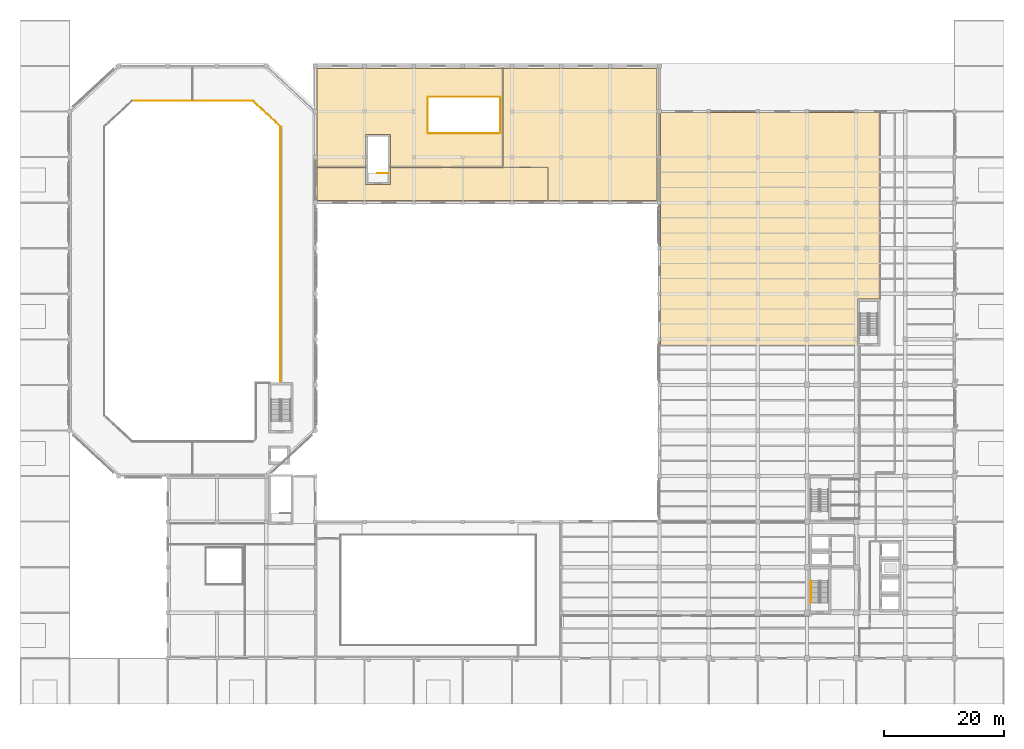
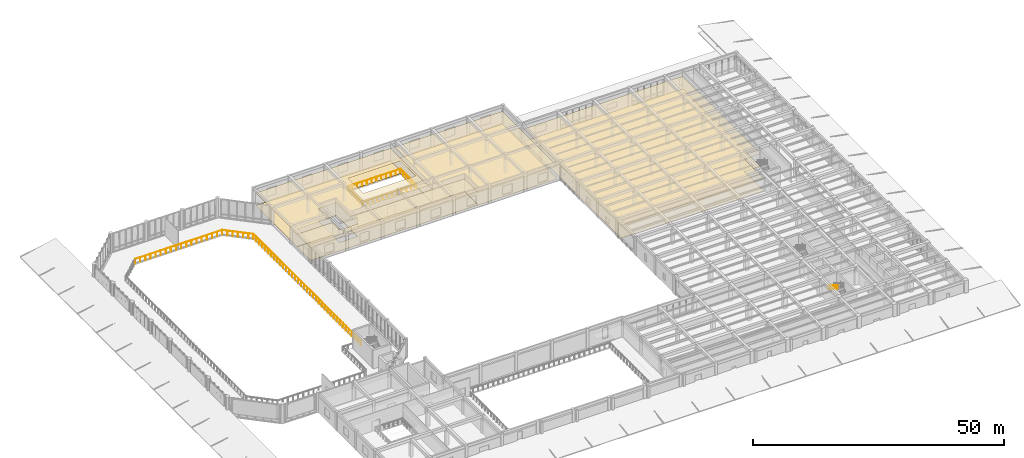
# One storey, part 53 of 57: 9 railings, 8 coverings.
"""IFC4 building model written with IfcOpenShell, lengths in metres."""

from ifc_helpers import new_model, si_unit, direction, frame, origin, origin_2d, place, context, subcontext, project, spatial, polyline, circle, outline, extrude, material, layer, layer_set, type_object, element, save


model = new_model("IFC4")

# Units and contexts
model_context = context("Model", 3, precision=1e-05, world=origin(), true_north=direction((0.0, 1.0)))
body_context = subcontext(model_context, "Body", "Model", "MODEL_VIEW")
ifc_project = project(units=[si_unit("LENGTHUNIT", "METRE"), si_unit("AREAUNIT", "SQUARE_METRE"), si_unit("VOLUMEUNIT", "CUBIC_METRE"), si_unit("PLANEANGLEUNIT", "RADIAN"), si_unit("MASSUNIT", "GRAM", prefix="KILO")], contexts=[model_context])

# Site, building, storey
site_placement = place(None, origin())
site = spatial("IfcSite", under=ifc_project, at=site_placement, CompositionType="ELEMENT")
building_placement = place(site_placement, origin())
building = spatial("IfcBuilding", under=site, at=building_placement, Name="Qandaris Square Conservatory and Botanical Centre", CompositionType="ELEMENT")
storey_placement = place(building_placement, frame((0.0, 0.0, 5.39990234375)))
storey = spatial("IfcBuildingStorey", under=building, at=storey_placement, Name="L01", CompositionType="ELEMENT", Elevation=5.39990234375)

# Railings
ifc_material_1 = material(Name="Tempered Low-E Glass", Category="glass")
railing_type_1 = type_object("IfcRailingType", Name="Conservatory Skywalk Glazed Balustrade 1150mm", PredefinedType="BALUSTRADE", material=ifc_material_1)
railing_1_placement = place(storey_placement, frame((26.674560546875, 109.60009765625, 0.0)))
element("IfcRailing", 1, at=railing_1_placement, inside=storey, type_object=railing_type_1, Name="Conservatory Skywalk Balustrade 4.1", PredefinedType="BALUSTRADE", context=body_context, shape_type="SweptSolid", body=[
    extrude(circle(Radius=0.02392578125, at=origin_2d()), frame((0.0, 0.0, 1.1259765625), z_axis=(1.0, 0.0, 0.0), x_axis=(0.0, 1.0, 0.0)), (0.0, 0.0, 1.0), 20.051025390625),
    extrude(circle(Radius=0.02099609375, at=origin_2d()), origin(), (0.0, 0.0, 1.0), 1.101806640625),
    extrude(circle(Radius=0.02099609375, at=origin_2d()), frame((1.179443359375, 0.0, 0.0)), (0.0, 0.0, 1.0), 1.101806640625),
    extrude(circle(Radius=0.02099609375, at=origin_2d()), frame((2.35888671875, 0.0, 0.0)), (0.0, 0.0, 1.0), 1.101806640625),
    extrude(circle(Radius=0.02099609375, at=origin_2d()), frame((3.538330078125, 0.0, 0.0)), (0.0, 0.0, 1.0), 1.101806640625),
    extrude(circle(Radius=0.02099609375, at=origin_2d()), frame((4.7177734375, 0.0, 0.0)), (0.0, 0.0, 1.0), 1.101806640625),
    extrude(circle(Radius=0.02099609375, at=origin_2d()), frame((5.8974609375, 0.0, 0.0)), (0.0, 0.0, 1.0), 1.101806640625),
    extrude(circle(Radius=0.02099609375, at=origin_2d()), frame((7.076904296875, 0.0, 0.0)), (0.0, 0.0, 1.0), 1.101806640625),
    extrude(circle(Radius=0.02099609375, at=origin_2d()), frame((8.25634765625, 0.0, 0.0)), (0.0, 0.0, 1.0), 1.101806640625),
    extrude(circle(Radius=0.02099609375, at=origin_2d()), frame((9.435791015625, 0.0, 0.0)), (0.0, 0.0, 1.0), 1.101806640625),
    extrude(circle(Radius=0.02099609375, at=origin_2d()), frame((10.615234375, 0.0, 0.0)), (0.0, 0.0, 1.0), 1.101806640625),
    extrude(circle(Radius=0.02099609375, at=origin_2d()), frame((11.794677734375, 0.0, 0.0)), (0.0, 0.0, 1.0), 1.101806640625),
    extrude(circle(Radius=0.02099609375, at=origin_2d()), frame((12.97412109375, 0.0, 0.0)), (0.0, 0.0, 1.0), 1.101806640625),
    extrude(circle(Radius=0.02099609375, at=origin_2d()), frame((14.153564453125, 0.0, 0.0)), (0.0, 0.0, 1.0), 1.101806640625),
    extrude(circle(Radius=0.02099609375, at=origin_2d()), frame((15.333251953125, 0.0, 0.0)), (0.0, 0.0, 1.0), 1.101806640625),
    extrude(circle(Radius=0.02099609375, at=origin_2d()), frame((16.5126953125, 0.0, 0.0)), (0.0, 0.0, 1.0), 1.101806640625),
    extrude(circle(Radius=0.02099609375, at=origin_2d()), frame((17.692138671875, 0.0, 0.0)), (0.0, 0.0, 1.0), 1.101806640625),
    extrude(circle(Radius=0.02099609375, at=origin_2d()), frame((18.87158203125, 0.0, 0.0)), (0.0, 0.0, 1.0), 1.101806640625),
    extrude(circle(Radius=0.02099609375, at=origin_2d()), frame((20.051025390625, 0.0, 0.0)), (0.0, 0.0, 1.0), 1.101806640625),
])
railing_2_placement = place(storey_placement, frame((46.7255859375, 109.60009765625, 0.0)))
element("IfcRailing", 2, at=railing_2_placement, inside=storey, type_object=railing_type_1, Name="Conservatory Skywalk Balustrade 5.1", PredefinedType="BALUSTRADE", context=body_context, shape_type="SweptSolid", body=[
    extrude(circle(Radius=0.02392578125, at=origin_2d()), frame((0.0, 0.0, 1.1259765625), z_axis=(0.733412595792, -0.679783762923, 0.0), x_axis=(0.679783762923, 0.733412595792, 0.0)), (0.0, 0.0, 1.0), 6.373291015625),
    extrude(circle(Radius=0.02099609375, at=origin_2d()), origin(), (0.0, 0.0, 1.0), 1.101806640625),
    extrude(circle(Radius=0.02099609375, at=origin_2d()), frame((0.779052734375, -0.72216796875, 0.0)), (0.0, 0.0, 1.0), 1.101806640625),
    extrude(circle(Radius=0.02099609375, at=origin_2d()), frame((1.55810546875, -1.444091796875, 0.0)), (0.0, 0.0, 1.0), 1.101806640625),
    extrude(circle(Radius=0.02099609375, at=origin_2d()), frame((2.337158203125, -2.166259765625, 0.0)), (0.0, 0.0, 1.0), 1.101806640625),
    extrude(circle(Radius=0.02099609375, at=origin_2d()), frame((3.1162109375, -2.888427734375, 0.0)), (0.0, 0.0, 1.0), 1.101806640625),
    extrude(circle(Radius=0.02099609375, at=origin_2d()), frame((3.895263671875, -3.6103515625, 0.0)), (0.0, 0.0, 1.0), 1.101806640625),
    extrude(circle(Radius=0.02099609375, at=origin_2d()), frame((4.67431640625, -4.33251953125, 0.0)), (0.0, 0.0, 1.0), 1.101806640625),
])
railing_3_placement = place(storey_placement, frame((51.39990234375, 105.267578125, 0.0)))
element("IfcRailing", 3, at=railing_3_placement, inside=storey, type_object=railing_type_1, Name="Conservatory Skywalk Balustrade 6.1", PredefinedType="BALUSTRADE", context=body_context, shape_type="SweptSolid", body=[
    extrude(circle(Radius=0.02392578125, at=origin_2d()), frame((0.0, 0.0, 1.1259765625), z_axis=(0.0, -1.0, 0.0), x_axis=(1.0, 0.0, 0.0)), (0.0, 0.0, 1.0), 42.66748046875),
    extrude(circle(Radius=0.02099609375, at=origin_2d()), origin(), (0.0, 0.0, 1.0), 1.101806640625),
    extrude(circle(Radius=0.02099609375, at=origin_2d()), frame((0.0, -1.185302734375, 0.0)), (0.0, 0.0, 1.0), 1.101806640625),
    extrude(circle(Radius=0.02099609375, at=origin_2d()), frame((0.0, -2.370361328125, 0.0)), (0.0, 0.0, 1.0), 1.101806640625),
    extrude(circle(Radius=0.02099609375, at=origin_2d()), frame((0.0, -3.5556640625, 0.0)), (0.0, 0.0, 1.0), 1.101806640625),
    extrude(circle(Radius=0.02099609375, at=origin_2d()), frame((0.0, -4.74072265625, 0.0)), (0.0, 0.0, 1.0), 1.101806640625),
    extrude(circle(Radius=0.02099609375, at=origin_2d()), frame((0.0, -5.926025390625, 0.0)), (0.0, 0.0, 1.0), 1.101806640625),
    extrude(circle(Radius=0.02099609375, at=origin_2d()), frame((0.0, -7.111328125, 0.0)), (0.0, 0.0, 1.0), 1.101806640625),
    extrude(circle(Radius=0.02099609375, at=origin_2d()), frame((0.0, -8.29638671875, 0.0)), (0.0, 0.0, 1.0), 1.101806640625),
    extrude(circle(Radius=0.02099609375, at=origin_2d()), frame((0.0, -9.481689453125, 0.0)), (0.0, 0.0, 1.0), 1.101806640625),
    extrude(circle(Radius=0.02099609375, at=origin_2d()), frame((0.0, -10.6669921875, 0.0)), (0.0, 0.0, 1.0), 1.101806640625),
    extrude(circle(Radius=0.02099609375, at=origin_2d()), frame((0.0, -11.85205078125, 0.0)), (0.0, 0.0, 1.0), 1.101806640625),
    extrude(circle(Radius=0.02099609375, at=origin_2d()), frame((0.0, -13.037353515625, 0.0)), (0.0, 0.0, 1.0), 1.101806640625),
    extrude(circle(Radius=0.02099609375, at=origin_2d()), frame((0.0, -14.222412109375, 0.0)), (0.0, 0.0, 1.0), 1.101806640625),
    extrude(circle(Radius=0.02099609375, at=origin_2d()), frame((0.0, -15.40771484375, 0.0)), (0.0, 0.0, 1.0), 1.101806640625),
    extrude(circle(Radius=0.02099609375, at=origin_2d()), frame((0.0, -16.593017578125, 0.0)), (0.0, 0.0, 1.0), 1.101806640625),
    extrude(circle(Radius=0.02099609375, at=origin_2d()), frame((0.0, -17.778076171875, 0.0)), (0.0, 0.0, 1.0), 1.101806640625),
    extrude(circle(Radius=0.02099609375, at=origin_2d()), frame((0.0, -18.96337890625, 0.0)), (0.0, 0.0, 1.0), 1.101806640625),
    extrude(circle(Radius=0.02099609375, at=origin_2d()), frame((0.0, -20.1484375, 0.0)), (0.0, 0.0, 1.0), 1.101806640625),
    extrude(circle(Radius=0.02099609375, at=origin_2d()), frame((0.0, -21.333740234375, 0.0)), (0.0, 0.0, 1.0), 1.101806640625),
    extrude(circle(Radius=0.02099609375, at=origin_2d()), frame((0.0, -22.51904296875, 0.0)), (0.0, 0.0, 1.0), 1.101806640625),
    extrude(circle(Radius=0.02099609375, at=origin_2d()), frame((0.0, -23.7041015625, 0.0)), (0.0, 0.0, 1.0), 1.101806640625),
    extrude(circle(Radius=0.02099609375, at=origin_2d()), frame((0.0, -24.889404296875, 0.0)), (0.0, 0.0, 1.0), 1.101806640625),
    extrude(circle(Radius=0.02099609375, at=origin_2d()), frame((0.0, -26.074462890625, 0.0)), (0.0, 0.0, 1.0), 1.101806640625),
    extrude(circle(Radius=0.02099609375, at=origin_2d()), frame((0.0, -27.259765625, 0.0)), (0.0, 0.0, 1.0), 1.101806640625),
    extrude(circle(Radius=0.02099609375, at=origin_2d()), frame((0.0, -28.445068359375, 0.0)), (0.0, 0.0, 1.0), 1.101806640625),
    extrude(circle(Radius=0.02099609375, at=origin_2d()), frame((0.0, -29.630126953125, 0.0)), (0.0, 0.0, 1.0), 1.101806640625),
    extrude(circle(Radius=0.02099609375, at=origin_2d()), frame((0.0, -30.8154296875, 0.0)), (0.0, 0.0, 1.0), 1.101806640625),
    extrude(circle(Radius=0.02099609375, at=origin_2d()), frame((0.0, -32.00048828125, 0.0)), (0.0, 0.0, 1.0), 1.101806640625),
    extrude(circle(Radius=0.02099609375, at=origin_2d()), frame((0.0, -33.185791015625, 0.0)), (0.0, 0.0, 1.0), 1.101806640625),
    extrude(circle(Radius=0.02099609375, at=origin_2d()), frame((0.0, -34.37109375, 0.0)), (0.0, 0.0, 1.0), 1.101806640625),
    extrude(circle(Radius=0.02099609375, at=origin_2d()), frame((0.0, -35.55615234375, 0.0)), (0.0, 0.0, 1.0), 1.101806640625),
    extrude(circle(Radius=0.02099609375, at=origin_2d()), frame((0.0, -36.741455078125, 0.0)), (0.0, 0.0, 1.0), 1.101806640625),
    extrude(circle(Radius=0.02099609375, at=origin_2d()), frame((0.0, -37.9267578125, 0.0)), (0.0, 0.0, 1.0), 1.101806640625),
    extrude(circle(Radius=0.02099609375, at=origin_2d()), frame((0.0, -39.11181640625, 0.0)), (0.0, 0.0, 1.0), 1.101806640625),
    extrude(circle(Radius=0.02099609375, at=origin_2d()), frame((0.0, -40.297119140625, 0.0)), (0.0, 0.0, 1.0), 1.101806640625),
    extrude(circle(Radius=0.02099609375, at=origin_2d()), frame((0.0, -41.482177734375, 0.0)), (0.0, 0.0, 1.0), 1.101806640625),
    extrude(circle(Radius=0.02099609375, at=origin_2d()), frame((0.0, -42.66748046875, 0.0)), (0.0, 0.0, 1.0), 1.101806640625),
])

# Coverings
ifc_material_2 = material(Name="Honed Qatari Limestone", Category="masonry")
ifc_layer_1 = layer(ifc_material_2, 0.030029296875)
ifc_layer_set_1 = layer_set([ifc_layer_1], Name="Honed Qatari Limestone")
covering_type_1 = type_object("IfcCoveringType", Name="Honed Qatari Limestone Concourse Paving", PredefinedType="FLOORING", material=ifc_layer_set_1)
covering_1_placement = place(storey_placement, origin())
element("IfcCovering", 4, at=covering_1_placement, inside=storey, type_object=covering_type_1, Name="Botanical Rare Books Reading Room Flooring", PredefinedType="FLOORING", context=body_context, shape_type="SweptSolid", body=[
    extrude(outline(polyline([(151.35009765625, 107.5), (151.35009765625, 76.5), (147.60009765625, 76.5), (147.60009765625, 68.800048828125), (114.780029296875, 68.800048828125), (114.780029296875, 107.6201171875), (151.35009765625, 107.6201171875), (151.35009765625, 107.5)])), origin(), (0.0, 0.0, 1.0), 0.030029296875),
])
covering_2_placement = place(storey_placement, origin())
element("IfcCovering", 5, at=covering_2_placement, inside=storey, type_object=covering_type_1, Name="North Gallery Upper Corridor Flooring", PredefinedType="FLOORING", context=body_context, shape_type="SweptSolid", body=[
    extrude(outline(polyline([(96.0, 93.0), (57.5, 93.0), (57.5, 98.5), (65.60009765625, 98.5), (65.60009765625, 95.60009765625), (69.699951171875, 95.60009765625), (69.699951171875, 98.5), (96.0, 98.5), (96.0, 93.0)])), origin(), (0.0, 0.0, 1.0), 0.030029296875),
])
covering_3_placement = place(storey_placement, origin())
element("IfcCovering", 6, at=covering_3_placement, inside=storey, type_object=covering_type_1, Name="Qatar Ethnobotany Permanent Exhibition Flooring", PredefinedType="FLOORING", context=body_context, shape_type="SweptSolid", body=[
    extrude(outline(polyline([(69.699951171875, 98.5), (69.699951171875, 104.0), (65.60009765625, 104.0), (65.60009765625, 98.5), (57.5, 98.5), (57.5, 115.0), (88.5, 115.0), (88.5, 98.5), (69.699951171875, 98.5)]), holes=[polyline([(88.0, 110.199951171875), (76.0, 110.199951171875), (76.0, 104.199951171875), (88.0, 104.199951171875), (88.0, 110.199951171875)])]), origin(), (0.0, 0.0, 1.0), 0.030029296875),
])
ifc_material_3 = material(Name="Gypsum Plasterboard", Category="gypsum")
ifc_layer_2 = layer(ifc_material_3, 0.02490234375)
ifc_layer_set_2 = layer_set([ifc_layer_2], Name="Gypsum Plasterboard")
covering_type_2 = type_object("IfcCoveringType", Name="Perforated Acoustic Lab Ceiling Tile", PredefinedType="CEILING", material=ifc_layer_set_2)
covering_4_placement = place(storey_placement, frame((0.0, 0.0, 3.050048828125)))
element("IfcCovering", 7, at=covering_4_placement, inside=storey, type_object=covering_type_2, Name="North Gallery Upper Corridor Ceiling", PredefinedType="CEILING", context=body_context, shape_type="SweptSolid", body=[
    extrude(outline(polyline([(96.0, 93.0), (57.5, 93.0), (57.5, 98.5), (65.60009765625, 98.5), (65.60009765625, 95.60009765625), (69.699951171875, 95.60009765625), (69.699951171875, 98.5), (96.0, 98.5), (96.0, 93.0)])), origin(), (0.0, 0.0, 1.0), 0.025146484375),
])
covering_5_placement = place(storey_placement, frame((0.0, 0.0, 3.050048828125)))
element("IfcCovering", 8, at=covering_5_placement, inside=storey, type_object=covering_type_2, Name="Herbarium Conservation Demonstration Gallery Ceiling", PredefinedType="CEILING", context=body_context, shape_type="SweptSolid", body=[
    extrude(outline(polyline([(96.0, 93.0), (96.0, 98.5), (88.5, 98.5), (88.5, 115.0), (114.199951171875, 115.0), (114.199951171875, 93.0), (96.0, 93.0)])), origin(), (0.0, 0.0, 1.0), 0.025146484375),
])
ifc_material_4 = material(Name="Epoxy Resin Screed", Category="finish")
ifc_layer_3 = layer(ifc_material_4, 0.014892578125)
ifc_layer_set_3 = layer_set([ifc_layer_3], Name="Epoxy Resin Screed")
covering_type_3 = type_object("IfcCoveringType", Name="Seamless Epoxy Laboratory Flooring", PredefinedType="FLOORING", material=ifc_layer_set_3)
covering_6_placement = place(storey_placement, origin())
element("IfcCovering", 9, at=covering_6_placement, inside=storey, type_object=covering_type_3, Name="Herbarium Conservation Demonstration Gallery Flooring", PredefinedType="FLOORING", context=body_context, shape_type="SweptSolid", body=[
    extrude(outline(polyline([(96.0, 93.0), (96.0, 98.5), (88.5, 98.5), (88.5, 115.0), (114.199951171875, 115.0), (114.199951171875, 93.0), (96.0, 93.0)])), origin(), (0.0, 0.0, 1.0), 0.01513671875),
])
ifc_material_5 = material(Name="Engineered Oak Timber", Category="wood")
ifc_layer_4 = layer(ifc_material_5, 0.0400390625)
ifc_layer_set_4 = layer_set([ifc_layer_4], Name="Engineered Oak Timber")
covering_type_4 = type_object("IfcCoveringType", Name="Slatted Oak Acoustic Gallery Ceiling", PredefinedType="CEILING", material=ifc_layer_set_4)
covering_7_placement = place(storey_placement, frame((0.0, 0.0, 3.050048828125)))
element("IfcCovering", 10, at=covering_7_placement, inside=storey, type_object=covering_type_4, Name="Botanical Rare Books Reading Room Ceiling", PredefinedType="CEILING", context=body_context, shape_type="SweptSolid", body=[
    extrude(outline(polyline([(151.35009765625, 107.5), (151.35009765625, 76.5), (147.60009765625, 76.5), (147.60009765625, 68.800048828125), (114.780029296875, 68.800048828125), (114.780029296875, 107.6201171875), (151.35009765625, 107.6201171875), (151.35009765625, 107.5)])), origin(), (0.0, 0.0, 1.0), 0.0400390625),
])
covering_8_placement = place(storey_placement, frame((0.0, 0.0, 3.050048828125)))
element("IfcCovering", 11, at=covering_8_placement, inside=storey, type_object=covering_type_4, Name="Qatar Ethnobotany Permanent Exhibition Ceiling", PredefinedType="CEILING", context=body_context, shape_type="SweptSolid", body=[
    extrude(outline(polyline([(69.699951171875, 98.5), (69.699951171875, 104.0), (65.60009765625, 104.0), (65.60009765625, 98.5), (57.5, 98.5), (57.5, 115.0), (88.5, 115.0), (88.5, 98.5), (69.699951171875, 98.5)]), holes=[polyline([(88.0, 110.199951171875), (76.0, 110.199951171875), (76.0, 104.199951171875), (88.0, 104.199951171875), (88.0, 110.199951171875)])]), origin(), (0.0, 0.0, 1.0), 0.0400390625),
])

# Railings
ifc_material_6 = material(Name="Stainless Steel", Category="steel")
railing_type_2 = type_object("IfcRailingType", Name="Stair Tubular Handrail 920mm", PredefinedType="HANDRAIL", material=ifc_material_6)
railing_4_placement = place(storey_placement, frame((139.85009765625, 29.5400390625, 2.742919921875)))
element("IfcRailing", 12, at=railing_4_placement, inside=storey, type_object=railing_type_2, Name="L01 ST-1 stair handrail 2", PredefinedType="HANDRAIL", context=body_context, shape_type="SweptSolid", body=[
    extrude(circle(Radius=0.02392578125, at=origin_2d()), frame((0.0, 0.0, 0.89599609375), z_axis=(0.0, -0.852865859571, 0.52213008492), x_axis=(1.0, 0.0, 0.0)), (0.0, 0.0, 1.0), 4.26806640625),
    extrude(circle(Radius=0.02099609375, at=origin_2d()), origin(), (0.0, 0.0, 1.0), 0.871826171875),
    extrude(circle(Radius=0.02099609375, at=origin_2d()), frame((0.0, -0.91015625, 0.55712890625)), (0.0, 0.0, 1.0), 0.871826171875),
    extrude(circle(Radius=0.02099609375, at=origin_2d()), frame((0.0, -1.820068359375, 1.1142578125)), (0.0, 0.0, 1.0), 0.871826171875),
    extrude(circle(Radius=0.02099609375, at=origin_2d()), frame((0.0, -2.72998046875, 1.67138671875)), (0.0, 0.0, 1.0), 0.871826171875),
    extrude(circle(Radius=0.02099609375, at=origin_2d()), frame((0.0, -3.64013671875, 2.228515625)), (0.0, 0.0, 1.0), 0.871826171875),
])
railing_type_3 = type_object("IfcRailingType", Name="Stairwell & Atrium Guardrail 1120mm", PredefinedType="GUARDRAIL", material=ifc_material_6)
railing_5_placement = place(storey_placement, frame((69.300048828125, 97.5, 0.0)))
element("IfcRailing", 13, at=railing_5_placement, inside=storey, type_object=railing_type_3, Name="L01 ST-6 top well guard 1", PredefinedType="GUARDRAIL", context=body_context, shape_type="SweptSolid", body=[
    extrude(circle(Radius=0.02392578125, at=origin_2d()), frame((0.0, 0.0, 1.09619140625), z_axis=(-1.0, 0.0, 0.0), x_axis=(0.0, -1.0, 0.0)), (0.0, 0.0, 1.0), 1.75),
    extrude(circle(Radius=0.02099609375, at=origin_2d()), origin(), (0.0, 0.0, 1.0), 1.072021484375),
    extrude(circle(Radius=0.02099609375, at=origin_2d()), frame((-0.875, 0.0, 0.0)), (0.0, 0.0, 1.0), 1.072021484375),
    extrude(circle(Radius=0.02099609375, at=origin_2d()), frame((-1.75, 0.0, 0.0)), (0.0, 0.0, 1.0), 1.072021484375),
])
railing_6_placement = place(storey_placement, frame((75.919921875, 104.1201171875, 0.0)))
element("IfcRailing", 14, at=railing_6_placement, inside=storey, type_object=railing_type_3, Name="Atrium Void Guardrail V3B-VOID-1", PredefinedType="GUARDRAIL", context=body_context, shape_type="SweptSolid", body=[
    extrude(circle(Radius=0.02392578125, at=origin_2d()), frame((0.0, 0.0, 1.09619140625), z_axis=(1.0, 0.0, 0.0), x_axis=(0.0, 1.0, 0.0)), (0.0, 0.0, 1.0), 12.16015625),
    extrude(circle(Radius=0.02099609375, at=origin_2d()), origin(), (0.0, 0.0, 1.0), 1.072021484375),
    extrude(circle(Radius=0.02099609375, at=origin_2d()), frame((1.10546875, 0.0, 0.0)), (0.0, 0.0, 1.0), 1.072021484375),
    extrude(circle(Radius=0.02099609375, at=origin_2d()), frame((2.2109375, 0.0, 0.0)), (0.0, 0.0, 1.0), 1.072021484375),
    extrude(circle(Radius=0.02099609375, at=origin_2d()), frame((3.31640625, 0.0, 0.0)), (0.0, 0.0, 1.0), 1.072021484375),
    extrude(circle(Radius=0.02099609375, at=origin_2d()), frame((4.421875, 0.0, 0.0)), (0.0, 0.0, 1.0), 1.072021484375),
    extrude(circle(Radius=0.02099609375, at=origin_2d()), frame((5.52734375, 0.0, 0.0)), (0.0, 0.0, 1.0), 1.072021484375),
    extrude(circle(Radius=0.02099609375, at=origin_2d()), frame((6.6328125, 0.0, 0.0)), (0.0, 0.0, 1.0), 1.072021484375),
    extrude(circle(Radius=0.02099609375, at=origin_2d()), frame((7.73828125, 0.0, 0.0)), (0.0, 0.0, 1.0), 1.072021484375),
    extrude(circle(Radius=0.02099609375, at=origin_2d()), frame((8.84375, 0.0, 0.0)), (0.0, 0.0, 1.0), 1.072021484375),
    extrude(circle(Radius=0.02099609375, at=origin_2d()), frame((9.94921875, 0.0, 0.0)), (0.0, 0.0, 1.0), 1.072021484375),
    extrude(circle(Radius=0.02099609375, at=origin_2d()), frame((11.0546875, 0.0, 0.0)), (0.0, 0.0, 1.0), 1.072021484375),
    extrude(circle(Radius=0.02099609375, at=origin_2d()), frame((12.16015625, 0.0, 0.0)), (0.0, 0.0, 1.0), 1.072021484375),
])
railing_7_placement = place(storey_placement, frame((88.080078125, 104.1201171875, 0.0)))
element("IfcRailing", 15, at=railing_7_placement, inside=storey, type_object=railing_type_3, Name="Atrium Void Guardrail V3B-VOID-2", PredefinedType="GUARDRAIL", context=body_context, shape_type="SweptSolid", body=[
    extrude(circle(Radius=0.02392578125, at=origin_2d()), frame((0.0, 0.0, 1.09619140625), z_axis=(0.0, 1.0, 0.0), x_axis=(-1.0, 0.0, 0.0)), (0.0, 0.0, 1.0), 6.159912109375),
    extrude(circle(Radius=0.02099609375, at=origin_2d()), origin(), (0.0, 0.0, 1.0), 1.072021484375),
    extrude(circle(Radius=0.02099609375, at=origin_2d()), frame((0.0, 1.026611328125, 0.0)), (0.0, 0.0, 1.0), 1.072021484375),
    extrude(circle(Radius=0.02099609375, at=origin_2d()), frame((0.0, 2.05322265625, 0.0)), (0.0, 0.0, 1.0), 1.072021484375),
    extrude(circle(Radius=0.02099609375, at=origin_2d()), frame((0.0, 3.080078125, 0.0)), (0.0, 0.0, 1.0), 1.072021484375),
    extrude(circle(Radius=0.02099609375, at=origin_2d()), frame((0.0, 4.106689453125, 0.0)), (0.0, 0.0, 1.0), 1.072021484375),
    extrude(circle(Radius=0.02099609375, at=origin_2d()), frame((0.0, 5.13330078125, 0.0)), (0.0, 0.0, 1.0), 1.072021484375),
    extrude(circle(Radius=0.02099609375, at=origin_2d()), frame((0.0, 6.159912109375, 0.0)), (0.0, 0.0, 1.0), 1.072021484375),
])
railing_8_placement = place(storey_placement, frame((88.080078125, 110.280029296875, 0.0)))
element("IfcRailing", 16, at=railing_8_placement, inside=storey, type_object=railing_type_3, Name="Atrium Void Guardrail V3B-VOID-3", PredefinedType="GUARDRAIL", context=body_context, shape_type="SweptSolid", body=[
    extrude(circle(Radius=0.02392578125, at=origin_2d()), frame((0.0, 0.0, 1.09619140625), z_axis=(-1.0, 0.0, 0.0), x_axis=(0.0, -1.0, 0.0)), (0.0, 0.0, 1.0), 12.16015625),
    extrude(circle(Radius=0.02099609375, at=origin_2d()), origin(), (0.0, 0.0, 1.0), 1.072021484375),
    extrude(circle(Radius=0.02099609375, at=origin_2d()), frame((-1.10546875, 0.0, 0.0)), (0.0, 0.0, 1.0), 1.072021484375),
    extrude(circle(Radius=0.02099609375, at=origin_2d()), frame((-2.2109375, 0.0, 0.0)), (0.0, 0.0, 1.0), 1.072021484375),
    extrude(circle(Radius=0.02099609375, at=origin_2d()), frame((-3.31640625, 0.0, 0.0)), (0.0, 0.0, 1.0), 1.072021484375),
    extrude(circle(Radius=0.02099609375, at=origin_2d()), frame((-4.421875, 0.0, 0.0)), (0.0, 0.0, 1.0), 1.072021484375),
    extrude(circle(Radius=0.02099609375, at=origin_2d()), frame((-5.52734375, 0.0, 0.0)), (0.0, 0.0, 1.0), 1.072021484375),
    extrude(circle(Radius=0.02099609375, at=origin_2d()), frame((-6.6328125, 0.0, 0.0)), (0.0, 0.0, 1.0), 1.072021484375),
    extrude(circle(Radius=0.02099609375, at=origin_2d()), frame((-7.73828125, 0.0, 0.0)), (0.0, 0.0, 1.0), 1.072021484375),
    extrude(circle(Radius=0.02099609375, at=origin_2d()), frame((-8.84375, 0.0, 0.0)), (0.0, 0.0, 1.0), 1.072021484375),
    extrude(circle(Radius=0.02099609375, at=origin_2d()), frame((-9.94921875, 0.0, 0.0)), (0.0, 0.0, 1.0), 1.072021484375),
    extrude(circle(Radius=0.02099609375, at=origin_2d()), frame((-11.0546875, 0.0, 0.0)), (0.0, 0.0, 1.0), 1.072021484375),
    extrude(circle(Radius=0.02099609375, at=origin_2d()), frame((-12.16015625, 0.0, 0.0)), (0.0, 0.0, 1.0), 1.072021484375),
])
railing_9_placement = place(storey_placement, frame((75.919921875, 110.280029296875, 0.0)))
element("IfcRailing", 17, at=railing_9_placement, inside=storey, type_object=railing_type_3, Name="Atrium Void Guardrail V3B-VOID-4", PredefinedType="GUARDRAIL", context=body_context, shape_type="SweptSolid", body=[
    extrude(circle(Radius=0.02392578125, at=origin_2d()), frame((0.0, 0.0, 1.09619140625), z_axis=(0.0, -1.0, 0.0), x_axis=(1.0, 0.0, 0.0)), (0.0, 0.0, 1.0), 6.159912109375),
    extrude(circle(Radius=0.02099609375, at=origin_2d()), origin(), (0.0, 0.0, 1.0), 1.072021484375),
    extrude(circle(Radius=0.02099609375, at=origin_2d()), frame((0.0, -1.026611328125, 0.0)), (0.0, 0.0, 1.0), 1.072021484375),
    extrude(circle(Radius=0.02099609375, at=origin_2d()), frame((0.0, -2.05322265625, 0.0)), (0.0, 0.0, 1.0), 1.072021484375),
    extrude(circle(Radius=0.02099609375, at=origin_2d()), frame((0.0, -3.080078125, 0.0)), (0.0, 0.0, 1.0), 1.072021484375),
    extrude(circle(Radius=0.02099609375, at=origin_2d()), frame((0.0, -4.106689453125, 0.0)), (0.0, 0.0, 1.0), 1.072021484375),
    extrude(circle(Radius=0.02099609375, at=origin_2d()), frame((0.0, -5.13330078125, 0.0)), (0.0, 0.0, 1.0), 1.072021484375),
    extrude(circle(Radius=0.02099609375, at=origin_2d()), frame((0.0, -6.159912109375, 0.0)), (0.0, 0.0, 1.0), 1.072021484375),
])

save(model, "model.ifc")
